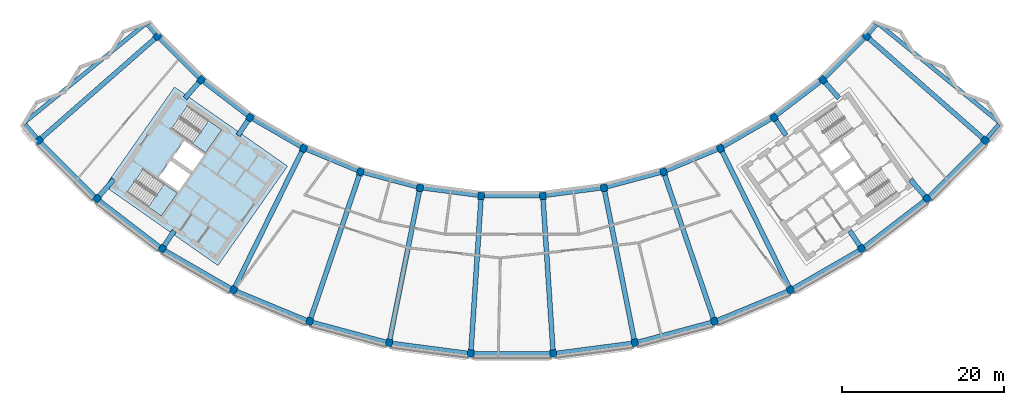
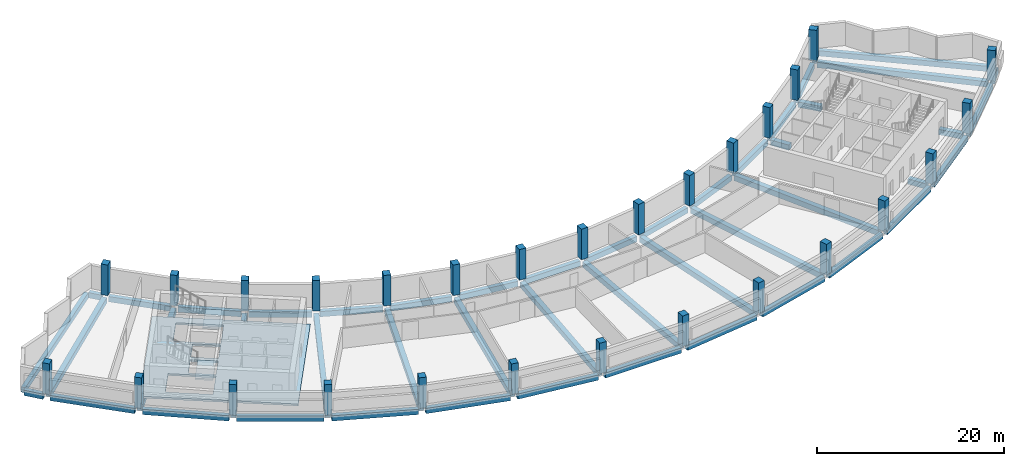
# One storey, part 1 of 11: 50 beams, 28 columns, 3 slabs, 2 elements without a shape of their own.
"""IFC4 building model written with IfcOpenShell, lengths in metres."""

from ifc_helpers import new_model, si_unit, direction, frame, origin, origin_2d, place, context, subcontext, project, spatial, polyline, rectangle, outline, extrude, material, layer, layer_set, material_profile, profile_set, type_object, element, aggregate, save


model = new_model("IFC4")

# Units and contexts
model_context = context("Model", 3, precision=1e-05, world=origin(), true_north=direction((0.0, 1.0)))
body_context = subcontext(model_context, "Body", "Model", "MODEL_VIEW")
ifc_project = project(units=[si_unit("LENGTHUNIT", "METRE"), si_unit("AREAUNIT", "SQUARE_METRE"), si_unit("VOLUMEUNIT", "CUBIC_METRE"), si_unit("PLANEANGLEUNIT", "RADIAN"), si_unit("MASSUNIT", "GRAM", prefix="KILO")], contexts=[model_context])

# Site, building, storey
site_placement = place(None, origin())
site = spatial("IfcSite", under=ifc_project, at=site_placement, CompositionType="ELEMENT")
building_placement = place(site_placement, origin())
building = spatial("IfcBuilding", under=site, at=building_placement, Name="Qamariyya Broadcast Tower", CompositionType="ELEMENT")
storey_placement = place(building_placement, frame((0.0, 0.0, 298.699951171875)))
storey = spatial("IfcBuildingStorey", under=building, at=storey_placement, Name="L72", CompositionType="ELEMENT", Elevation=298.699951171875)

# Columns
ifc_material_1 = material(Name="Concrete C50/60", Category="concrete")
ifc_material_profile_1 = material_profile(ifc_material_1, rectangle(XDim=0.800048828125, YDim=0.89990234375, at=origin_2d()))
ifc_profile_set_1 = profile_set([ifc_material_profile_1], Name="Concrete C50/60")
column_type = type_object("IfcColumnType", Name="RC column 800 x 900 C50/60", PredefinedType="COLUMN", material=ifc_profile_set_1)
for number, where, z_axis, x_axis, name in (
    (1, (-43.794677734375, -38.406982421875, 0.0), (0.0, 0.0, 1.0), (0.6593458151, -0.751839807479, 0.0), "Column C13 L72 B-R04"),
    (2, (-58.45556640625, -51.26416015625, 0.0), (0.0, 0.0, 1.0), (0.6593458151, -0.751839807479, 0.0), "Column C13 L72 C-R04"),
    (3, (-38.406982421875, -43.794677734375, 0.0), (0.0, 0.0, 1.0), (0.751839807479, -0.6593458151, 0.0), "Column C13 L72 B-R05"),
    (4, (-51.26416015625, -58.45556640625, 0.0), (0.0, 0.0, 1.0), (0.751839807479, -0.6593458151, 0.0), "Column C13 L72 C-R05"),
    (5, (-32.362060546875, -48.43310546875, 0.0), (0.0, 0.0, 1.0), (0.831469612303, -0.55557023302, 0.0), "Column C13 L72 B-R06"),
    (6, (-43.195556640625, -64.646728515625, 0.0), (0.0, 0.0, 1.0), (0.831469612303, -0.55557023302, 0.0), "Column C13 L72 C-R06"),
    (7, (-25.763427734375, -52.242919921875, 0.0), (0.0, 0.0, 1.0), (0.896872741533, -0.442288690219, 0.0), "Column C13 L72 B-R07"),
    (8, (-34.387939453125, -69.73193359375, 0.0), (0.0, 0.0, 1.0), (0.896872741533, -0.442288690219, 0.0), "Column C13 L72 C-R07"),
    (9, (-18.723876953125, -55.15869140625, 0.0), (0.0, 0.0, 1.0), (0.946930129495, -0.321439465303, 0.0), "Column C13 L72 B-R08"),
    (10, (-24.991943359375, -73.623779296875, 0.0), (0.0, 0.0, 1.0), (0.946930129495, -0.321439465303, 0.0), "Column C13 L72 C-R08"),
    (11, (-11.364013671875, -57.130859375, 0.0), (0.0, 0.0, 1.0), (0.980785280403, -0.195090322016, 0.0), "Column C13 L72 B-R09"),
    (12, (-15.168212890625, -76.256103515625, 0.0), (0.0, 0.0, 1.0), (0.980785280403, -0.195090322016, 0.0), "Column C13 L72 C-R09"),
    (13, (-3.809814453125, -58.125244140625, 0.0), (0.0, 0.0, 1.0), (0.997858923239, -0.06540312923, 0.0), "Column C13 L72 B-R10"),
    (14, (-5.085205078125, -77.58349609375, 0.0), (0.0, 0.0, 1.0), (0.997858923239, -0.06540312923, 0.0), "Column C13 L72 C-R10"),
    (15, (3.809814453125, -58.125244140625, 0.0), (0.0, 0.0, 1.0), (0.997858923239, 0.06540312923, 0.0), "Column C13 L72 B-R11"),
    (16, (5.085205078125, -77.58349609375, 0.0), (0.0, 0.0, 1.0), (0.997858923239, 0.06540312923, 0.0), "Column C13 L72 C-R11"),
    (17, (11.364013671875, -57.130859375, 0.0), (0.0, 0.0, 1.0), (0.980785280403, 0.195090322016, 0.0), "Column C13 L72 B-R12"),
    (18, (15.168212890625, -76.256103515625, 0.0), (0.0, 0.0, 1.0), (0.980785280403, 0.195090322016, 0.0), "Column C13 L72 C-R12"),
    (19, (18.723876953125, -55.15869140625, 0.0), (0.0, 0.0, 1.0), (0.946930129495, 0.321439465303, 0.0), "Column C13 L72 B-R13"),
    (20, (24.991943359375, -73.623779296875, 0.0), (0.0, 0.0, 1.0), (0.946930129495, 0.321439465303, 0.0), "Column C13 L72 C-R13"),
    (21, (25.763427734375, -52.242919921875, 0.0), (0.0, 0.0, 1.0), (0.896872741533, 0.442288690219, 0.0), "Column C13 L72 B-R14"),
    (22, (34.387939453125, -69.73193359375, 0.0), (0.0, 0.0, 1.0), (0.896872741533, 0.442288690219, 0.0), "Column C13 L72 C-R14"),
    (23, (32.362060546875, -48.43310546875, 0.0), (0.0, 0.0, 1.0), (0.831469612303, 0.55557023302, 0.0), "Column C13 L72 B-R15"),
    (24, (43.195556640625, -64.646728515625, 0.0), (0.0, 0.0, 1.0), (0.831469612303, 0.55557023302, 0.0), "Column C13 L72 C-R15"),
    (25, (38.406982421875, -43.794677734375, 0.0), (0.0, 0.0, 1.0), (0.751839807479, 0.6593458151, 0.0), "Column C13 L72 B-R16"),
    (26, (51.26416015625, -58.45556640625, 0.0), (0.0, 0.0, 1.0), (0.751839807479, 0.6593458151, 0.0), "Column C13 L72 C-R16"),
    (27, (43.794677734375, -38.406982421875, 0.0), (0.0, 0.0, 1.0), (0.6593458151, 0.751839807479, 0.0), "Column C13 L72 B-R17"),
    (28, (58.45556640625, -51.26416015625, 0.0), (0.0, 0.0, 1.0), (0.6593458151, 0.751839807479, 0.0), "Column C13 L72 C-R17"),
):
    element("IfcColumn", number, at=place(storey_placement, frame(where, z_axis=z_axis, x_axis=x_axis)), inside=storey, type_object=column_type, Name=name, PredefinedType="COLUMN", context=body_context, shape_type="SweptSolid", body=[
        extrude(rectangle(XDim=0.800048828125, YDim=0.89990234375, at=origin_2d()), origin(), (0.0, 0.0, 1.0), 4.0),
    ])

# Beams
ifc_material_2 = material(Name="Concrete C40/50", Category="concrete")
ifc_material_profile_2 = material_profile(ifc_material_2, rectangle(XDim=0.5, YDim=0.699951171875, at=origin_2d()))
ifc_profile_set_2 = profile_set([ifc_material_profile_2], Name="Concrete C40/50")
beam_type_1 = type_object("IfcBeamType", Name="RC edge beam 500 x 700 C40/50", PredefinedType="SPANDREL", material=ifc_profile_set_2)
beam_1_placement = place(storey_placement, frame((-43.51123046875, -38.6904296875, -0.599853515625), z_axis=(0.707106781187, -0.707106781187, 0.0), x_axis=(0.707106781187, 0.707106781187, 0.0)))
element("IfcBeam", 29, at=beam_1_placement, inside=storey, type_object=beam_type_1, Name="Edge beam B32 L72 B R04-R05", PredefinedType="SPANDREL", context=body_context, shape_type="SweptSolid", body=[
    extrude(rectangle(XDim=0.5, YDim=0.699951171875, at=origin_2d()), origin(), (0.0, 0.0, 1.0), 6.817626953125),
])
for number, where, z_axis, x_axis, name in (
    (30, (-38.0888671875, -44.03857421875, -0.599853515625), (0.793355578527, -0.608758512072, 0.0), (0.608758512072, 0.793355578527, 0.0), "Edge beam B32 L72 B R05-R06"),
    (31, (-32.014892578125, -48.633544921875, -0.599853515625), (0.866028756998, -0.499994192018, 0.0), (0.499994192018, 0.866028756998, 0.0), "Edge beam B32 L72 B R06-R07"),
    (32, (-25.39306640625, -52.396240234375, -0.599853515625), (0.923875859791, -0.382692298976, 0.0), (0.382692298976, 0.923875859791, 0.0), "Edge beam B32 L72 B R07-R08"),
    (33, (-18.336669921875, -55.262451171875, -0.599853515625), (0.965922796001, -0.258830354026, 0.0), (0.258830354026, 0.965922796001, 0.0), "Edge beam B32 L72 B R08-R09"),
):
    element("IfcBeam", number, at=place(storey_placement, frame(where, z_axis=z_axis, x_axis=x_axis)), inside=storey, type_object=beam_type_1, Name=name, PredefinedType="SPANDREL", context=body_context, shape_type="SweptSolid", body=[
        extrude(rectangle(XDim=0.5, YDim=0.699951171875, at=origin_2d()), origin(), (0.0, 0.0, 1.0), 6.81787109375),
    ])
beam_2_placement = place(storey_placement, frame((-10.966552734375, -57.18310546875, -0.599853515625), z_axis=(0.991444541835, -0.130528619338, 0.0), x_axis=(0.130528619338, 0.991444541835, 0.0)))
element("IfcBeam", 34, at=beam_2_placement, inside=storey, type_object=beam_type_1, Name="Edge beam B32 L72 B R09-R10", PredefinedType="SPANDREL", context=body_context, shape_type="SweptSolid", body=[
    extrude(rectangle(XDim=0.5, YDim=0.699951171875, at=origin_2d()), origin(), (0.0, 0.0, 1.0), 6.817626953125),
])
beam_3_placement = place(storey_placement, frame((-3.408935546875, -58.125244140625, -0.599853515625), z_axis=(1.0, 0.0, 0.0), x_axis=(0.0, 1.0, 0.0)))
element("IfcBeam", 35, at=beam_3_placement, inside=storey, type_object=beam_type_1, Name="Edge beam B32 L72 B R10-R11", PredefinedType="SPANDREL", context=body_context, shape_type="SweptSolid", body=[
    extrude(rectangle(XDim=0.5, YDim=0.699951171875, at=origin_2d()), origin(), (0.0, 0.0, 1.0), 6.81787109375),
])
beam_4_placement = place(storey_placement, frame((4.207275390625, -58.072998046875, -0.599853515625), z_axis=(0.991444541835, 0.130528619338, 0.0), x_axis=(-0.130528619338, 0.991444541835, 0.0)))
element("IfcBeam", 36, at=beam_4_placement, inside=storey, type_object=beam_type_1, Name="Edge beam B32 L72 B R11-R12", PredefinedType="SPANDREL", context=body_context, shape_type="SweptSolid", body=[
    extrude(rectangle(XDim=0.5, YDim=0.699951171875, at=origin_2d()), origin(), (0.0, 0.0, 1.0), 6.817626953125),
])
for number, where, z_axis, x_axis, name in (
    (37, (11.751220703125, -57.027099609375, -0.599853515625), (0.965922796001, 0.258830354026, 0.0), (-0.258830354026, 0.965922796001, 0.0), "Edge beam B32 L72 B R12-R13"),
    (38, (19.09423828125, -55.00537109375, -0.599853515625), (0.923875859791, 0.382692298976, 0.0), (-0.382692298976, 0.923875859791, 0.0), "Edge beam B32 L72 B R13-R14"),
    (39, (26.1103515625, -52.04248046875, -0.599853515625), (0.866028756998, 0.499994192018, 0.0), (-0.499994192018, 0.866028756998, 0.0), "Edge beam B32 L72 B R14-R15"),
    (40, (32.679931640625, -48.18896484375, -0.599853515625), (0.793355578527, 0.608758512072, 0.0), (-0.608758512072, 0.793355578527, 0.0), "Edge beam B32 L72 B R15-R16"),
):
    element("IfcBeam", number, at=place(storey_placement, frame(where, z_axis=z_axis, x_axis=x_axis)), inside=storey, type_object=beam_type_1, Name=name, PredefinedType="SPANDREL", context=body_context, shape_type="SweptSolid", body=[
        extrude(rectangle(XDim=0.5, YDim=0.699951171875, at=origin_2d()), origin(), (0.0, 0.0, 1.0), 6.81787109375),
    ])
beam_5_placement = place(storey_placement, frame((38.6904296875, -43.51123046875, -0.599853515625), z_axis=(0.707106781187, 0.707106781187, 0.0), x_axis=(-0.707106781187, 0.707106781187, 0.0)))
element("IfcBeam", 41, at=beam_5_placement, inside=storey, type_object=beam_type_1, Name="Edge beam B32 L72 B R16-R17", PredefinedType="SPANDREL", context=body_context, shape_type="SweptSolid", body=[
    extrude(rectangle(XDim=0.5, YDim=0.699951171875, at=origin_2d()), origin(), (0.0, 0.0, 1.0), 6.817626953125),
])
for number, where, z_axis, x_axis, name in (
    (42, (-58.172119140625, -51.547607421875, -0.599853515625), (0.707106781187, -0.707106781187, 0.0), (0.707106781187, 0.707106781187, 0.0), "Edge beam B32 L72 C R04-R05"),
    (43, (-50.946044921875, -58.699462890625, -0.599853515625), (0.793337425087, -0.608782169545, 0.0), (0.608782169545, 0.793337425087, 0.0), "Edge beam B32 L72 C R05-R06"),
    (44, (-42.848388671875, -64.84716796875, -0.599853515625), (0.866019808396, -0.500009691372, 0.0), (0.500009691372, 0.866019808396, 0.0), "Edge beam B32 L72 C R06-R07"),
    (45, (-34.017578125, -69.88525390625, -0.599853515625), (0.923876761165, -0.382690122919, 0.0), (0.382690122919, 0.923876761165, 0.0), "Edge beam B32 L72 C R07-R08"),
):
    element("IfcBeam", number, at=place(storey_placement, frame(where, z_axis=z_axis, x_axis=x_axis)), inside=storey, type_object=beam_type_1, Name=name, PredefinedType="SPANDREL", context=body_context, shape_type="SweptSolid", body=[
        extrude(rectangle(XDim=0.5, YDim=0.699951171875, at=origin_2d()), origin(), (0.0, 0.0, 1.0), 9.368408203125),
    ])
beam_6_placement = place(storey_placement, frame((-24.604736328125, -73.7275390625, -0.599853515625), z_axis=(0.965924554352, -0.258823791988, 0.0), x_axis=(0.258823791988, 0.965924554352, 0.0)))
element("IfcBeam", 46, at=beam_6_placement, inside=storey, type_object=beam_type_1, Name="Edge beam B32 L72 C R08-R09", PredefinedType="SPANDREL", context=body_context, shape_type="SweptSolid", body=[
    extrude(rectangle(XDim=0.5, YDim=0.699951171875, at=origin_2d()), origin(), (0.0, 0.0, 1.0), 9.36865234375),
])
beam_7_placement = place(storey_placement, frame((-14.770751953125, -76.308349609375, -0.599853515625), z_axis=(0.991443914621, -0.130533383318, 0.0), x_axis=(0.130533383318, 0.991443914621, 0.0)))
element("IfcBeam", 47, at=beam_7_placement, inside=storey, type_object=beam_type_1, Name="Edge beam B32 L72 C R09-R10", PredefinedType="SPANDREL", context=body_context, shape_type="SweptSolid", body=[
    extrude(rectangle(XDim=0.5, YDim=0.699951171875, at=origin_2d()), origin(), (0.0, 0.0, 1.0), 9.368408203125),
])
beam_8_placement = place(storey_placement, frame((-4.684326171875, -77.58349609375, -0.599853515625), z_axis=(1.0, 0.0, 0.0), x_axis=(0.0, 1.0, 0.0)))
element("IfcBeam", 48, at=beam_8_placement, inside=storey, type_object=beam_type_1, Name="Edge beam B32 L72 C R10-R11", PredefinedType="SPANDREL", context=body_context, shape_type="SweptSolid", body=[
    extrude(rectangle(XDim=0.5, YDim=0.699951171875, at=origin_2d()), origin(), (0.0, 0.0, 1.0), 9.36865234375),
])
beam_9_placement = place(storey_placement, frame((5.482421875, -77.53125, -0.599853515625), z_axis=(0.991443914621, 0.130533383318, 0.0), x_axis=(-0.130533383318, 0.991443914621, 0.0)))
element("IfcBeam", 49, at=beam_9_placement, inside=storey, type_object=beam_type_1, Name="Edge beam B32 L72 C R11-R12", PredefinedType="SPANDREL", context=body_context, shape_type="SweptSolid", body=[
    extrude(rectangle(XDim=0.5, YDim=0.699951171875, at=origin_2d()), origin(), (0.0, 0.0, 1.0), 9.368408203125),
])
beam_10_placement = place(storey_placement, frame((15.555419921875, -76.15234375, -0.599853515625), z_axis=(0.965924554352, 0.258823791988, 0.0), x_axis=(-0.258823791988, 0.965924554352, 0.0)))
element("IfcBeam", 50, at=beam_10_placement, inside=storey, type_object=beam_type_1, Name="Edge beam B32 L72 C R12-R13", PredefinedType="SPANDREL", context=body_context, shape_type="SweptSolid", body=[
    extrude(rectangle(XDim=0.5, YDim=0.699951171875, at=origin_2d()), origin(), (0.0, 0.0, 1.0), 9.36865234375),
])
for number, where, z_axis, x_axis, name in (
    (51, (25.3623046875, -73.470458984375, -0.599853515625), (0.923876761165, 0.382690122919, 0.0), (-0.382690122919, 0.923876761165, 0.0), "Edge beam B32 L72 C R13-R14"),
    (52, (34.735107421875, -69.531494140625, -0.599853515625), (0.866019808396, 0.500009691372, 0.0), (-0.500009691372, 0.866019808396, 0.0), "Edge beam B32 L72 C R14-R15"),
    (53, (43.513671875, -64.40283203125, -0.599853515625), (0.793337425087, 0.608782169545, 0.0), (-0.608782169545, 0.793337425087, 0.0), "Edge beam B32 L72 C R15-R16"),
    (54, (51.547607421875, -58.172119140625, -0.599853515625), (0.707106781187, 0.707106781187, 0.0), (-0.707106781187, 0.707106781187, 0.0), "Edge beam B32 L72 C R16-R17"),
):
    element("IfcBeam", number, at=place(storey_placement, frame(where, z_axis=z_axis, x_axis=x_axis)), inside=storey, type_object=beam_type_1, Name=name, PredefinedType="SPANDREL", context=body_context, shape_type="SweptSolid", body=[
        extrude(rectangle(XDim=0.5, YDim=0.699951171875, at=origin_2d()), origin(), (0.0, 0.0, 1.0), 9.368408203125),
    ])
ifc_material_profile_3 = material_profile(ifc_material_2, rectangle(XDim=0.5, YDim=0.699951171875, at=origin_2d()))
ifc_profile_set_3 = profile_set([ifc_material_profile_3], Name="Concrete C40/50")
beam_type_2 = type_object("IfcBeamType", Name="RC horn beam 500 x 700 C40/50", PredefinedType="BEAM", material=ifc_profile_set_3)
beam_11_placement = place(storey_placement, frame((-44.052978515625, -38.101318359375, -0.599853515625), z_axis=(-0.645562267298, 0.763707639769, 0.0), x_axis=(-0.763707639769, -0.645562267298, 0.0)))
element("IfcBeam", 55, at=beam_11_placement, inside=storey, type_object=beam_type_2, Name="Horn beam B33 L72 W B-R04", PredefinedType="BEAM", context=body_context, shape_type="SweptSolid", body=[
    extrude(rectangle(XDim=0.5, YDim=0.699951171875, at=origin_2d()), origin(), (0.0, 0.0, 1.0), 1.46923828125),
])
beam_12_placement = place(storey_placement, frame((-58.7138671875, -50.95849609375, -0.599853515625), z_axis=(-0.645580484074, 0.763692240751, 0.0), x_axis=(-0.763692240751, -0.645580484074, 0.0)))
element("IfcBeam", 56, at=beam_12_placement, inside=storey, type_object=beam_type_2, Name="Horn beam B33 L72 W C-R04", PredefinedType="BEAM", context=body_context, shape_type="SweptSolid", body=[
    extrude(rectangle(XDim=0.5, YDim=0.699951171875, at=origin_2d()), origin(), (0.0, 0.0, 1.0), 2.1787109375),
])
beam_13_placement = place(storey_placement, frame((44.052978515625, -38.101318359375, -0.599853515625), z_axis=(0.645562267298, 0.763707639769, 0.0), x_axis=(-0.763707639769, 0.645562267298, 0.0)))
element("IfcBeam", 57, at=beam_13_placement, inside=storey, type_object=beam_type_2, Name="Horn beam B33 L72 E B-R17", PredefinedType="BEAM", context=body_context, shape_type="SweptSolid", body=[
    extrude(rectangle(XDim=0.5, YDim=0.699951171875, at=origin_2d()), origin(), (0.0, 0.0, 1.0), 1.46923828125),
])
beam_14_placement = place(storey_placement, frame((58.7138671875, -50.95849609375, -0.599853515625), z_axis=(0.645580484074, 0.763692240751, 0.0), x_axis=(-0.763692240751, 0.645580484074, 0.0)))
element("IfcBeam", 58, at=beam_14_placement, inside=storey, type_object=beam_type_2, Name="Horn beam B33 L72 E C-R17", PredefinedType="BEAM", context=body_context, shape_type="SweptSolid", body=[
    extrude(rectangle(XDim=0.5, YDim=0.699951171875, at=origin_2d()), origin(), (0.0, 0.0, 1.0), 2.1787109375),
])
ifc_material_profile_4 = material_profile(ifc_material_2, rectangle(XDim=0.5, YDim=0.699951171875, at=origin_2d()))
ifc_profile_set_4 = profile_set([ifc_material_profile_4], Name="Concrete C40/50")
beam_type_3 = type_object("IfcBeamType", Name="RC horn cap beam 500 x 700 C40/50", PredefinedType="BEAM", material=ifc_profile_set_4)
for number, where, z_axis, x_axis, name in (
    (59, (-45.356689453125, -36.9462890625, -0.599853515625), (-0.775330061416, -0.631556249169, 0.0), (0.631556249169, -0.775330061416, 0.0), "Horn cap beam B21 L72 W B-C"),
    (60, (45.356689453125, -36.9462890625, -0.599853515625), (0.775330061416, -0.631556249169, 0.0), (0.631556249169, 0.775330061416, 0.0), "Horn cap beam B21 L72 E B-C"),
):
    element("IfcBeam", number, at=place(storey_placement, frame(where, z_axis=z_axis, x_axis=x_axis)), inside=storey, type_object=beam_type_3, Name=name, PredefinedType="BEAM", context=body_context, shape_type="SweptSolid", body=[
        extrude(rectangle(XDim=0.5, YDim=0.699951171875, at=origin_2d()), origin(), (0.0, 0.0, 1.0), 19.0),
    ])
ifc_material_profile_5 = material_profile(ifc_material_2, rectangle(XDim=0.60009765625, YDim=0.699951171875, at=origin_2d()))
ifc_profile_set_5 = profile_set([ifc_material_profile_5], Name="Concrete C40/50")
beam_type_4 = type_object("IfcBeamType", Name="RC radial beam 600 x 700 C40/50", PredefinedType="BEAM", material=ifc_profile_set_5)
beam_15_placement = place(storey_placement, frame((-44.133056640625, -38.70361328125, -0.599853515625), z_axis=(-0.751835479309, -0.659350750399, 0.0), x_axis=(0.659350750399, -0.751835479309, 0.0)))
element("IfcBeam", 61, at=beam_15_placement, inside=storey, type_object=beam_type_4, Name="Radial beam B31 L72 R04 B-C", PredefinedType="BEAM", context=body_context, shape_type="SweptSolid", body=[
    extrude(rectangle(XDim=0.60009765625, YDim=0.699951171875, at=origin_2d()), origin(), (0.0, 0.0, 1.0), 18.60009765625),
])
beam_16_placement = place(storey_placement, frame((-38.70361328125, -44.133056640625, -0.599853515625), z_axis=(-0.65936701245, -0.751821217373, 0.0), x_axis=(0.751821217373, -0.65936701245, 0.0)))
element("IfcBeam", 62, at=beam_16_placement, inside=storey, type_object=beam_type_4, Name="Radial beam B31 L72 R05 B-C", PredefinedType="BEAM", context=body_context, shape_type="SweptSolid", body=[
    extrude(rectangle(XDim=0.60009765625, YDim=0.699951171875, at=origin_2d()), origin(), (0.0, 0.0, 1.0), 2.56396484375),
])
beam_17_placement = place(storey_placement, frame((-49.1943359375, -56.095458984375, -0.599853515625), z_axis=(-0.659384708976, -0.751805696686, 0.0), x_axis=(0.751805696686, -0.659384708976, 0.0)))
element("IfcBeam", 63, at=beam_17_placement, inside=storey, type_object=beam_type_4, Name="Radial beam B31 L72 R05 B-C", PredefinedType="BEAM", context=body_context, shape_type="SweptSolid", body=[
    extrude(rectangle(XDim=0.60009765625, YDim=0.699951171875, at=origin_2d()), origin(), (0.0, 0.0, 1.0), 2.689208984375),
])
beam_18_placement = place(storey_placement, frame((-32.612060546875, -48.807373046875, -0.599853515625), z_axis=(-0.555590424473, -0.83145612045, 0.0), x_axis=(0.83145612045, -0.555590424473, 0.0)))
element("IfcBeam", 64, at=beam_18_placement, inside=storey, type_object=beam_type_4, Name="Radial beam B31 L72 R06 B-C", PredefinedType="BEAM", context=body_context, shape_type="SweptSolid", body=[
    extrude(rectangle(XDim=0.60009765625, YDim=0.699951171875, at=origin_2d()), origin(), (0.0, 0.0, 1.0), 2.21435546875),
])
beam_19_placement = place(storey_placement, frame((-41.733154296875, -62.458251953125, -0.599853515625), z_axis=(-0.555577686168, -0.83146463222, 0.0), x_axis=(0.83146463222, -0.555577686168, 0.0)))
element("IfcBeam", 65, at=beam_19_placement, inside=storey, type_object=beam_type_4, Name="Radial beam B31 L72 R06 B-C", PredefinedType="BEAM", context=body_context, shape_type="SweptSolid", body=[
    extrude(rectangle(XDim=0.60009765625, YDim=0.699951171875, at=origin_2d()), origin(), (0.0, 0.0, 1.0), 2.18212890625),
])
for number, where, z_axis, x_axis, name in (
    (66, (-25.96240234375, -52.646484375, -0.599853515625), (-0.442287277377, -0.896873438268, 0.0), (0.896873438268, -0.442287277377, 0.0), "Radial beam B31 L72 R07 B-C"),
    (67, (-18.868408203125, -55.584716796875, -0.599853515625), (-0.321436539423, -0.946931122692, 0.0), (0.946931122692, -0.321436539423, 0.0), "Radial beam B31 L72 R08 B-C"),
    (68, (-11.451904296875, -57.572021484375, -0.599853515625), (-0.195088681676, -0.980785606686, 0.0), (0.980785606686, -0.195088681676, 0.0), "Radial beam B31 L72 R09 B-C"),
    (69, (-3.839111328125, -58.57421875, -0.599853515625), (-0.065405603651, -0.997858761053, 0.0), (0.997858761053, -0.065405603651, 0.0), "Radial beam B31 L72 R10 B-C"),
    (70, (3.839111328125, -58.57421875, -0.599853515625), (0.065405603651, -0.997858761053, 0.0), (0.997858761053, 0.065405603651, 0.0), "Radial beam B31 L72 R11 B-C"),
    (71, (11.451904296875, -57.572021484375, -0.599853515625), (0.195088681676, -0.980785606686, 0.0), (0.980785606686, 0.195088681676, 0.0), "Radial beam B31 L72 R12 B-C"),
    (72, (18.868408203125, -55.584716796875, -0.599853515625), (0.321436539423, -0.946931122692, 0.0), (0.946931122692, 0.321436539423, 0.0), "Radial beam B31 L72 R13 B-C"),
    (73, (25.96240234375, -52.646484375, -0.599853515625), (0.442287277377, -0.896873438268, 0.0), (0.896873438268, 0.442287277377, 0.0), "Radial beam B31 L72 R14 B-C"),
):
    element("IfcBeam", number, at=place(storey_placement, frame(where, z_axis=z_axis, x_axis=x_axis)), inside=storey, type_object=beam_type_4, Name=name, PredefinedType="BEAM", context=body_context, shape_type="SweptSolid", body=[
        extrude(rectangle(XDim=0.60009765625, YDim=0.699951171875, at=origin_2d()), origin(), (0.0, 0.0, 1.0), 18.60009765625),
    ])
beam_20_placement = place(storey_placement, frame((32.612060546875, -48.807373046875, -0.599853515625), z_axis=(0.555590424473, -0.83145612045, 0.0), x_axis=(0.83145612045, 0.555590424473, 0.0)))
element("IfcBeam", 74, at=beam_20_placement, inside=storey, type_object=beam_type_4, Name="Radial beam B31 L72 R15 B-C", PredefinedType="BEAM", context=body_context, shape_type="SweptSolid", body=[
    extrude(rectangle(XDim=0.60009765625, YDim=0.699951171875, at=origin_2d()), origin(), (0.0, 0.0, 1.0), 2.21435546875),
])
beam_21_placement = place(storey_placement, frame((41.733154296875, -62.458251953125, -0.599853515625), z_axis=(0.555577686168, -0.83146463222, 0.0), x_axis=(0.83146463222, 0.555577686168, 0.0)))
element("IfcBeam", 75, at=beam_21_placement, inside=storey, type_object=beam_type_4, Name="Radial beam B31 L72 R15 B-C", PredefinedType="BEAM", context=body_context, shape_type="SweptSolid", body=[
    extrude(rectangle(XDim=0.60009765625, YDim=0.699951171875, at=origin_2d()), origin(), (0.0, 0.0, 1.0), 2.18212890625),
])
beam_22_placement = place(storey_placement, frame((38.70361328125, -44.133056640625, -0.599853515625), z_axis=(0.65936701245, -0.751821217373, 0.0), x_axis=(0.751821217373, 0.65936701245, 0.0)))
element("IfcBeam", 76, at=beam_22_placement, inside=storey, type_object=beam_type_4, Name="Radial beam B31 L72 R16 B-C", PredefinedType="BEAM", context=body_context, shape_type="SweptSolid", body=[
    extrude(rectangle(XDim=0.60009765625, YDim=0.699951171875, at=origin_2d()), origin(), (0.0, 0.0, 1.0), 2.56396484375),
])
beam_23_placement = place(storey_placement, frame((49.1943359375, -56.095458984375, -0.599853515625), z_axis=(0.659384708976, -0.751805696686, 0.0), x_axis=(0.751805696686, 0.659384708976, 0.0)))
element("IfcBeam", 77, at=beam_23_placement, inside=storey, type_object=beam_type_4, Name="Radial beam B31 L72 R16 B-C", PredefinedType="BEAM", context=body_context, shape_type="SweptSolid", body=[
    extrude(rectangle(XDim=0.60009765625, YDim=0.699951171875, at=origin_2d()), origin(), (0.0, 0.0, 1.0), 2.689208984375),
])
beam_24_placement = place(storey_placement, frame((44.133056640625, -38.70361328125, -0.599853515625), z_axis=(0.751835479309, -0.659350750399, 0.0), x_axis=(0.659350750399, 0.751835479309, 0.0)))
element("IfcBeam", 78, at=beam_24_placement, inside=storey, type_object=beam_type_4, Name="Radial beam B31 L72 R17 B-C", PredefinedType="BEAM", context=body_context, shape_type="SweptSolid", body=[
    extrude(rectangle(XDim=0.60009765625, YDim=0.699951171875, at=origin_2d()), origin(), (0.0, 0.0, 1.0), 18.60009765625),
])

# Slab
ifc_layer_1 = layer(ifc_material_2, 0.25)
ifc_layer_set_1 = layer_set([ifc_layer_1], Name="Core floor slab 250 mm Concrete C40/50")
slab_type_1 = type_object("IfcSlabType", Name="Core floor slab 250 mm Concrete C40/50", PredefinedType="FLOOR", material=ifc_layer_set_1)
slab_1_placement = place(storey_placement, frame((0.0, 0.0, -0.25)))
element("IfcSlab", 79, at=slab_1_placement, inside=storey, type_object=slab_type_1, Name="k-W-L72-slab", PredefinedType="FLOOR", context=body_context, shape_type="SweptSolid", body=[
    extrude(outline(polyline([(-50.286376953125, -56.95751953125), (-36.32373046875, -66.734375), (-27.719970703125, -54.447021484375), (-41.6826171875, -44.67041015625), (-50.286376953125, -56.95751953125)]), holes=[polyline([(-39.742431640625, -55.489990234375), (-42.199951171875, -53.769287109375), (-43.6337890625, -55.817138671875), (-41.17626953125, -57.537841796875), (-39.742431640625, -55.489990234375)]), polyline([(-39.45556640625, -55.080322265625), (-41.9130859375, -53.359619140625), (-40.47900390625, -51.311767578125), (-38.021728515625, -53.032470703125), (-39.45556640625, -55.080322265625)]), polyline([(-42.06103515625, -49.837890625), (-37.849609375, -52.78662109375), (-35.870849609375, -49.960693359375), (-40.082275390625, -47.01171875), (-42.06103515625, -49.837890625)]), polyline([(-47.538818359375, -57.66064453125), (-43.3271484375, -60.609619140625), (-41.348388671875, -57.783447265625), (-45.559814453125, -54.834716796875), (-47.538818359375, -57.66064453125)])]), origin(), (0.0, 0.0, 1.0), 0.25),
])

# Stair, slab
stair_type = type_object("IfcStairType", Name="Exit stair 24 risers of 167 mm", PredefinedType="HALF_TURN_STAIR", material=ifc_material_1)
stair_1_placement = place(storey_placement, origin())
stair_1 = element("IfcStair", 80, at=stair_1_placement, inside=storey, type_object=stair_type, Name="L72 Stair W2", PredefinedType="HALF_TURN_STAIR")
ifc_layer_2 = layer(ifc_material_1, 0.199951171875)
ifc_layer_set_2 = layer_set([ifc_layer_2], Name="Stair landing")
slab_type_2 = type_object("IfcSlabType", Name="Stair landing", PredefinedType="LANDING", material=ifc_layer_set_2)
slab_2_placement = place(storey_placement, frame((0.0, 0.0, 1.800048828125)))
slab_2 = element("IfcSlab", 81, at=slab_2_placement, type_object=slab_type_2, Name="ST-W2 landing 1", PredefinedType="LANDING", context=body_context, shape_type="SweptSolid", body=[
    extrude(outline(polyline([(-39.45458984375, -51.662841796875), (-37.849609375, -52.78662109375), (-35.870849609375, -49.960693359375), (-37.475830078125, -48.8369140625), (-39.45458984375, -51.662841796875)])), origin(), (0.0, 0.0, 1.0), 0.199951171875),
])
aggregate(stair_1, [slab_2])

stair_2_placement = place(storey_placement, origin())
stair_2 = element("IfcStair", 82, at=stair_2_placement, inside=storey, type_object=stair_type, Name="L72 Stair W1", PredefinedType="HALF_TURN_STAIR")
slab_3_placement = place(storey_placement, frame((0.0, 0.0, 1.800048828125)))
slab_3 = element("IfcSlab", 83, at=slab_3_placement, type_object=slab_type_2, Name="ST-W1 landing 1", PredefinedType="LANDING", context=body_context, shape_type="SweptSolid", body=[
    extrude(outline(polyline([(-44.93212890625, -59.48583984375), (-43.3271484375, -60.609619140625), (-41.348388671875, -57.783447265625), (-42.953369140625, -56.65966796875), (-44.93212890625, -59.48583984375)])), origin(), (0.0, 0.0, 1.0), 0.199951171875),
])
aggregate(stair_2, [slab_3])

save(model, "model.ifc")
